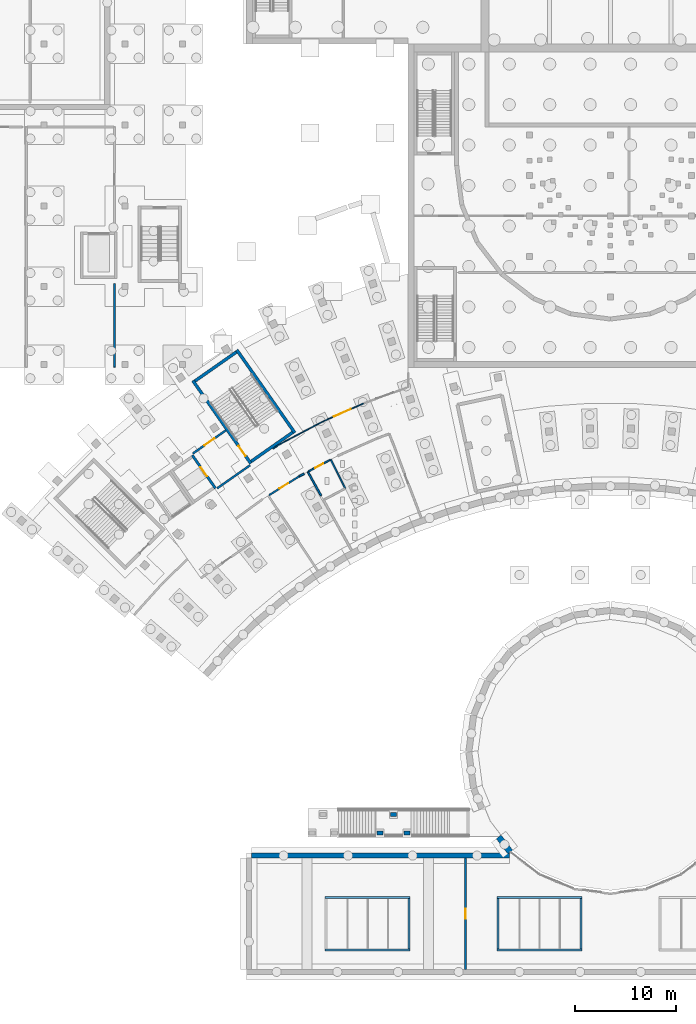
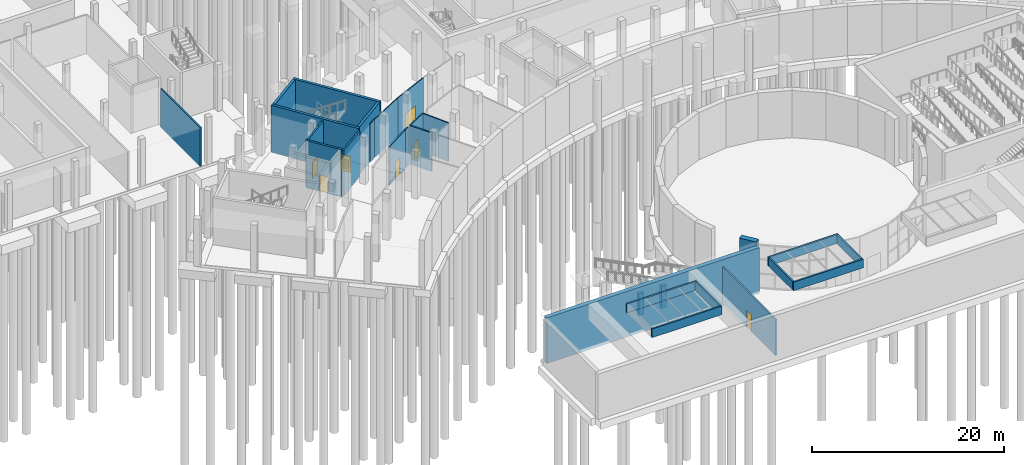
# One storey, part 20 of 66: 29 walls, 7 doors, 7 openings.
"""IFC4 building model written with IfcOpenShell, lengths in metres."""

from ifc_helpers import new_model, si_unit, direction, frame, frame_2d, origin, place, context, subcontext, project, spatial, rectangle, extrude, material, layer, layer_set, type_object, element, fill, save


model = new_model("IFC4")

# Units and contexts
model_context = context("Model", 3, precision=1e-05, world=origin(), true_north=direction((0.0, 1.0)))
body_context = subcontext(model_context, "Body", "Model", "MODEL_VIEW")
ifc_project = project(units=[si_unit("LENGTHUNIT", "METRE"), si_unit("AREAUNIT", "SQUARE_METRE"), si_unit("VOLUMEUNIT", "CUBIC_METRE"), si_unit("PLANEANGLEUNIT", "RADIAN"), si_unit("MASSUNIT", "GRAM", prefix="KILO")], contexts=[model_context])

# Site, building, storey
site_placement = place(None, origin())
site = spatial("IfcSite", under=ifc_project, at=site_placement, CompositionType="ELEMENT")
building_placement = place(site_placement, origin())
building = spatial("IfcBuilding", under=site, at=building_placement, Name="Lunette Opera House", CompositionType="ELEMENT")
storey_placement = place(building_placement, frame((0.0, 0.0, -6.0)))
storey = spatial("IfcBuildingStorey", under=building, at=storey_placement, Name="B1", CompositionType="ELEMENT", Elevation=-6.0)

# Wall, opening, door
ifc_material_1 = material(Name="Plastered clay blockwork", Category="masonry")
ifc_layer_1 = layer(ifc_material_1, 0.175048828125)
ifc_layer_set_1 = layer_set([ifc_layer_1], Name="Plastered clay blockwork")
wall_type_1 = type_object("IfcWallType", Name="ACOUSTIC BLOCK PARTITION 175", PredefinedType="PARTITIONING", material=ifc_layer_set_1)
wall_1_placement = place(storey_placement, frame((81.6669921875, 4.5, 0.0), z_axis=(0.0, 0.0, 1.0), x_axis=(0.0, 1.0, 0.0)))
wall_1 = element("IfcWall", 1, at=wall_1_placement, inside=storey, type_object=wall_type_1, Name="Partition Visitor Cycle Store", PredefinedType="PARTITIONING", context=body_context, shape_type="SweptSolid", body=[
    extrude(rectangle(XDim=10.9990234375, YDim=0.175048828125, at=frame_2d((5.49951171875, 0.0))), origin(), (0.0, 0.0, 1.0), 4.60009765625),
])
opening_1_placement = place(wall_1_placement, frame((5.0, 0.0, 0.0)))
opening_1 = element("IfcOpeningElement", 2, at=opening_1_placement, cuts=wall_1, Name="Opening FC-D3011", PredefinedType="OPENING", context=body_context, shape_type="SweptSolid", body=[
    extrude(rectangle(XDim=1.0, YDim=2.10009765625, at=frame_2d((0.5, 1.050048828125))), frame((0.0, 0.099609375, 0.0), z_axis=(0.0, -1.0, 0.0), x_axis=(1.0, 0.0, 0.0)), (0.0, 0.0, 1.0), 0.198974609375),
])
ifc_material_2 = material(Name="Timber", Category="wood")
door_type_1 = type_object("IfcDoorType", Name="FLUSH DOOR 1000 X 2100", OperationType="SINGLE_SWING_LEFT", PredefinedType="DOOR", material=ifc_material_2)
door_1_placement = place(opening_1_placement, origin())
door_1 = element("IfcDoor", 3, at=door_1_placement, inside=storey, type_object=door_type_1, Name="Visitor Cycle Store door", OperationType="SINGLE_SWING_RIGHT", OverallHeight=2.10009765625, OverallWidth=1.0, PredefinedType="DOOR", context=body_context, shape_type="SweptSolid", body=[
    extrude(rectangle(XDim=1.0, YDim=2.10009765625, at=frame_2d((0.5, 1.050048828125))), frame((0.0, 0.02490234375, 0.0), z_axis=(0.0, -1.0, 0.0), x_axis=(1.0, 0.0, 0.0)), (0.0, 0.0, 1.0), 0.050048828125),
])
fill(opening_1, door_1)

# Wall
wall_2_placement = place(storey_placement, frame((46.97412109375, 64.050048828125, 0.0), z_axis=(0.0, 0.0, 1.0), x_axis=(0.0, 1.0, 0.0)))
element("IfcWall", 4, at=wall_2_placement, inside=storey, type_object=wall_type_1, Name="Partition Generator Room", PredefinedType="PARTITIONING", context=body_context, shape_type="SweptSolid", body=[
    extrude(rectangle(XDim=8.25, YDim=0.175048828125, at=frame_2d((4.125, 0.0))), origin(), (0.0, 0.0, 1.0), 4.949951171875),
])

# Wall, opening, door
wall_3_placement = place(storey_placement, frame((65.25, 53.260986328125, 0.0), z_axis=(0.0, 0.0, 1.0), x_axis=(-0.847998304005, -0.529998940003, 0.0)))
wall_3 = element("IfcWall", 5, at=wall_3_placement, inside=storey, type_object=wall_type_1, Name="Partition Refuse Store", PredefinedType="PARTITIONING", context=body_context, shape_type="SweptSolid", body=[
    extrude(rectangle(XDim=3.537841796875, YDim=0.175048828125, at=frame_2d((1.76904296875, 0.0))), origin(), (0.0, 0.0, 1.0), 4.8798828125),
])
opening_2_placement = place(wall_3_placement, frame((1.31298828125, 0.0, 0.0)))
opening_2 = element("IfcOpeningElement", 6, at=opening_2_placement, cuts=wall_3, Name="Opening FC-D3009", PredefinedType="OPENING", context=body_context, shape_type="SweptSolid", body=[
    extrude(rectangle(XDim=1.0, YDim=2.10009765625, at=frame_2d((0.5, 1.050048828125))), frame((0.0, 0.099609375, 0.0), z_axis=(0.0, -1.0, 0.0), x_axis=(1.0, 0.0, 0.0)), (0.0, 0.0, 1.0), 0.198974609375),
])
door_2_placement = place(opening_2_placement, origin())
door_2 = element("IfcDoor", 7, at=door_2_placement, inside=storey, type_object=door_type_1, Name="Refuse Store door", OperationType="SINGLE_SWING_RIGHT", OverallHeight=2.10009765625, OverallWidth=1.0, PredefinedType="DOOR", context=body_context, shape_type="SweptSolid", body=[
    extrude(rectangle(XDim=1.0, YDim=2.10009765625, at=frame_2d((0.5, 1.050048828125))), frame((0.0, 0.02490234375, 0.0), z_axis=(0.0, -1.0, 0.0), x_axis=(1.0, 0.0, 0.0)), (0.0, 0.0, 1.0), 0.050048828125),
])
fill(opening_2, door_2)

# Walls
wall_4_placement = place(storey_placement, frame((67.39306640625, 51.343994140625, 0.0), z_axis=(0.0, 0.0, 1.0), x_axis=(-0.486932941699, 0.873439356961, 0.0)))
element("IfcWall", 8, at=wall_4_placement, inside=storey, type_object=wall_type_1, Name="Partition Refuse Store", PredefinedType="PARTITIONING", context=body_context, shape_type="SweptSolid", body=[
    extrude(rectangle(XDim=2.698486328125, YDim=0.175048828125, at=frame_2d((1.34912109375, 0.0))), origin(), (0.0, 0.0, 1.0), 4.8798828125),
])
wall_5_placement = place(storey_placement, frame((65.715087890625, 53.508056640625, 0.0), z_axis=(0.0, 0.0, 1.0), x_axis=(-0.883121721576, -0.469143927682, 0.0)))
element("IfcWall", 9, at=wall_5_placement, inside=storey, type_object=wall_type_1, Name="Partition Refuse Store", PredefinedType="PARTITIONING", context=body_context, shape_type="SweptSolid", body=[
    extrude(rectangle(XDim=0.526611328125, YDim=0.175048828125, at=frame_2d((0.26318359375, 0.0))), origin(), (0.0, 0.0, 1.0), 4.8798828125),
])
ifc_material_3 = material(Name="Plastered clay blockwork", Category="masonry")
ifc_layer_2 = layer(ifc_material_3, 0.14990234375)
ifc_layer_set_2 = layer_set([ifc_layer_2], Name="Plastered clay blockwork")
wall_type_2 = type_object("IfcWallType", Name="BLOCK PARTITION 150", PredefinedType="PARTITIONING", material=ifc_layer_set_2)
wall_6_placement = place(storey_placement, frame((69.784912109375, 52.050048828125, 0.0), z_axis=(0.0, 0.0, 1.0), x_axis=(-0.44959355841, 0.893233246267, 0.0)))
element("IfcWall", 10, at=wall_6_placement, inside=storey, type_object=wall_type_2, Name="Partition Accessible WC Lower", PredefinedType="PARTITIONING", context=body_context, shape_type="SweptSolid", body=[
    extrude(rectangle(XDim=3.198486328125, YDim=0.14990234375, at=frame_2d((1.59912109375, 0.0))), origin(), (0.0, 0.0, 1.0), 4.8798828125),
])

# Wall, opening, door
wall_7_placement = place(storey_placement, frame((68.280029296875, 54.8720703125, 0.0), z_axis=(0.0, 0.0, 1.0), x_axis=(-0.882984277994, -0.469402561577, 0.0)))
wall_7 = element("IfcWall", 11, at=wall_7_placement, inside=storey, type_object=wall_type_2, Name="Partition Accessible WC Lower", PredefinedType="PARTITIONING", context=body_context, shape_type="SweptSolid", body=[
    extrude(rectangle(XDim=2.405517578125, YDim=0.14990234375, at=frame_2d((1.20263671875, 0.0))), origin(), (0.0, 0.0, 1.0), 4.8798828125),
])
opening_3_placement = place(wall_7_placement, frame((0.759033203125, 0.0, 0.0)))
opening_3 = element("IfcOpeningElement", 12, at=opening_3_placement, cuts=wall_7, Name="Opening FC-D3008", PredefinedType="OPENING", context=body_context, shape_type="SweptSolid", body=[
    extrude(rectangle(XDim=0.89990234375, YDim=2.10009765625, at=frame_2d((0.449951171875, 1.050048828125))), frame((0.0, 0.0869140625, 0.0), z_axis=(0.0, -1.0, 0.0), x_axis=(1.0, 0.0, 0.0)), (0.0, 0.0, 1.0), 0.173828125),
])
ifc_material_4 = material(Name="Timber", Category="wood")
door_type_2 = type_object("IfcDoorType", Name="FLUSH DOOR 900 X 2100", OperationType="SINGLE_SWING_LEFT", PredefinedType="DOOR", material=ifc_material_4)
door_3_placement = place(opening_3_placement, origin())
door_3 = element("IfcDoor", 13, at=door_3_placement, inside=storey, type_object=door_type_2, Name="Accessible WC Lower door", OperationType="SINGLE_SWING_RIGHT", OverallHeight=2.10009765625, OverallWidth=0.89990234375, PredefinedType="DOOR", context=body_context, shape_type="SweptSolid", body=[
    extrude(rectangle(XDim=0.89990234375, YDim=2.10009765625, at=frame_2d((0.449951171875, 1.050048828125))), frame((0.0, 0.02490234375, 0.0), z_axis=(0.0, -1.0, 0.0), x_axis=(1.0, 0.0, 0.0)), (0.0, 0.0, 1.0), 0.050048828125),
])
fill(opening_3, door_3)

ifc_material_5 = material(Name="Concrete C35/45", Category="concrete")
ifc_layer_3 = layer(ifc_material_5, 0.199951171875)
ifc_layer_set_3 = layer_set([ifc_layer_3], Name="Concrete C35/45")
wall_type_3 = type_object("IfcWallType", Name="LOBBY WALL 200", PredefinedType="PARTITIONING", material=ifc_layer_set_3)
wall_8_placement = place(storey_placement, frame((57.98388671875, 57.797119140625, 0.0), z_axis=(0.0, 0.0, 1.0), x_axis=(-0.819125561737, -0.573614255497, 0.0)))
wall_8 = element("IfcWall", 14, at=wall_8_placement, inside=storey, type_object=wall_type_3, Name="FL2 lobby wall 2a", PredefinedType="PARTITIONING", context=body_context, shape_type="SweptSolid", body=[
    extrude(rectangle(XDim=3.990478515625, YDim=0.199951171875, at=frame_2d((1.9951171875, 0.0))), origin(), (0.0, 0.0, 1.0), 5.780029296875),
])
opening_4_placement = place(wall_8_placement, frame((1.3798828125, 0.0, 0.0)))
opening_4 = element("IfcOpeningElement", 15, at=opening_4_placement, cuts=wall_8, Name="Opening FC-D7031", PredefinedType="OPENING", context=body_context, shape_type="SweptSolid", body=[
    extrude(rectangle(XDim=1.199951171875, YDim=2.10009765625, at=frame_2d((0.60009765625, 1.050048828125))), frame((0.0, 0.112060546875, 0.0), z_axis=(0.0, -1.0, 0.0), x_axis=(1.0, 0.0, 0.0)), (0.0, 0.0, 1.0), 0.223876953125),
])
ifc_material_6 = material(Name="Steel", Category="steel")
door_type_3 = type_object("IfcDoorType", Name="FIRE DOOR 1200 X 2100", OperationType="SINGLE_SWING_LEFT", PredefinedType="DOOR", material=ifc_material_6)
door_4_placement = place(opening_4_placement, origin())
door_4 = element("IfcDoor", 16, at=door_4_placement, inside=storey, type_object=door_type_3, Name="FL2 lobby door", OperationType="SINGLE_SWING_LEFT", OverallHeight=2.10009765625, OverallWidth=1.199951171875, PredefinedType="DOOR", context=body_context, shape_type="SweptSolid", body=[
    extrude(rectangle(XDim=1.199951171875, YDim=2.10009765625, at=frame_2d((0.60009765625, 1.050048828125))), frame((0.0, 0.02490234375, 0.0), z_axis=(0.0, -1.0, 0.0), x_axis=(1.0, 0.0, 0.0)), (0.0, 0.0, 1.0), 0.050048828125),
])
fill(opening_4, door_4)

# Walls
wall_9_placement = place(storey_placement, frame((57.125, 52.069091796875, 0.0), z_axis=(0.0, 0.0, 1.0), x_axis=(0.81911891796, 0.573623742744, 0.0)))
element("IfcWall", 17, at=wall_9_placement, inside=storey, type_object=wall_type_3, Name="FL2 lobby wall 4a", PredefinedType="PARTITIONING", context=body_context, shape_type="SweptSolid", body=[
    extrude(rectangle(XDim=3.958984375, YDim=0.199951171875, at=frame_2d((1.9794921875, 0.0))), origin(), (0.0, 0.0, 1.0), 5.780029296875),
])
ifc_material_7 = material(Name="Concrete C35/45", Category="concrete")
ifc_layer_4 = layer(ifc_material_7, 0.39990234375)
ifc_layer_set_4 = layer_set([ifc_layer_4], Name="Concrete C35/45")
wall_type_4 = type_object("IfcWallType", Name="RAMP PIER WALL 400", PredefinedType="SOLIDWALL", material=ifc_layer_set_4)
wall_10_placement = place(storey_placement, frame((72.89990234375, 18.0, 0.0), z_axis=(0.0, 0.0, 1.0), x_axis=(1.0, 0.0, 0.0)))
element("IfcWall", 18, at=wall_10_placement, inside=storey, type_object=wall_type_4, Name="Bearing pier FS1-L1-P1", PredefinedType="SOLIDWALL", context=body_context, shape_type="SweptSolid", body=[
    extrude(rectangle(XDim=0.60009765625, YDim=0.39990234375, at=frame_2d((0.300048828125, 0.0))), origin(), (0.0, 0.0, 1.0), 2.800048828125),
])
wall_11_placement = place(storey_placement, frame((75.60009765625, 18.0, 0.0), z_axis=(0.0, 0.0, 1.0), x_axis=(1.0, 0.0, 0.0)))
element("IfcWall", 19, at=wall_11_placement, inside=storey, type_object=wall_type_4, Name="Bearing pier FS1-L1-P2", PredefinedType="SOLIDWALL", context=body_context, shape_type="SweptSolid", body=[
    extrude(rectangle(XDim=0.599853515625, YDim=0.39990234375, at=frame_2d((0.2998046875, 0.0))), origin(), (0.0, 0.0, 1.0), 2.800048828125),
])
wall_12_placement = place(storey_placement, frame((74.25, 19.800048828125, 0.0), z_axis=(0.0, 0.0, 1.0), x_axis=(1.0, 0.0, 0.0)))
element("IfcWall", 20, at=wall_12_placement, inside=storey, type_object=wall_type_4, Name="Bearing pier FS1-L1-P3", PredefinedType="SOLIDWALL", context=body_context, shape_type="SweptSolid", body=[
    extrude(rectangle(XDim=0.60009765625, YDim=0.39990234375, at=frame_2d((0.300048828125, 0.0))), origin(), (0.0, 0.0, 1.0), 2.800048828125),
])

# Wall, opening, door
ifc_material_8 = material(Name="Concrete C35/45", Category="concrete")
ifc_layer_5 = layer(ifc_material_8, 0.25)
ifc_layer_set_5 = layer_set([ifc_layer_5], Name="Concrete C35/45")
wall_type_5 = type_object("IfcWallType", Name="RC LIFT SHAFT WALL 250", PredefinedType="SOLIDWALL", material=ifc_layer_set_5)
wall_13_placement = place(storey_placement, frame((56.948974609375, 52.06689453125, 0.0), z_axis=(0.0, 0.0, 1.0), x_axis=(-0.573736768582, 0.819039755065, 0.0)))
wall_13 = element("IfcWall", 21, at=wall_13_placement, inside=storey, type_object=wall_type_5, Name="FL2 shaft wall 1", PredefinedType="SOLIDWALL", context=body_context, shape_type="SweptSolid", body=[
    extrude(rectangle(XDim=4.0, YDim=0.25, at=frame_2d((2.0, 0.0))), origin(), (0.0, 0.0, 1.0), 6.0),
])
opening_5_placement = place(wall_13_placement, frame((1.449951171875, 0.0, 0.0)))
opening_5 = element("IfcOpeningElement", 22, at=opening_5_placement, cuts=wall_13, Name="Opening FC-LD007", PredefinedType="OPENING", context=body_context, shape_type="SweptSolid", body=[
    extrude(rectangle(XDim=1.10009765625, YDim=2.10009765625, at=frame_2d((0.550048828125, 1.050048828125))), frame((0.0, 0.136962890625, 0.0), z_axis=(0.0, -1.0, 0.0), x_axis=(1.0, 0.0, 0.0)), (0.0, 0.0, 1.0), 0.27392578125),
])
ifc_material_9 = material(Name="Stainless steel", Category="steel")
door_type_4 = type_object("IfcDoorType", Name="LIFT LANDING DOOR 1100 X 2100", OperationType="DOUBLE_DOOR_SLIDING", PredefinedType="DOOR", material=ifc_material_9)
door_5_placement = place(opening_5_placement, origin())
door_5 = element("IfcDoor", 23, at=door_5_placement, inside=storey, type_object=door_type_4, Name="FL2 lift landing door", OperationType="DOUBLE_DOOR_SLIDING", OverallHeight=2.10009765625, OverallWidth=1.10009765625, PredefinedType="DOOR", context=body_context, shape_type="SweptSolid", body=[
    extrude(rectangle(XDim=1.10009765625, YDim=2.10009765625, at=frame_2d((0.550048828125, 1.050048828125))), frame((0.0, 0.02490234375, 0.0), z_axis=(0.0, -1.0, 0.0), x_axis=(1.0, 0.0, 0.0)), (0.0, 0.0, 1.0), 0.050048828125),
])
fill(opening_5, door_5)

# Walls
ifc_material_10 = material(Name="Concrete C35/45", Category="concrete")
ifc_layer_6 = layer(ifc_material_10, 0.300048828125)
ifc_layer_set_6 = layer_set([ifc_layer_6], Name="Concrete C35/45")
wall_type_6 = type_object("IfcWallType", Name="RC STAIR ENCLOSURE WALL 300", PredefinedType="SOLIDWALL", material=ifc_layer_set_6)
wall_14_placement = place(storey_placement, frame((64.791015625, 57.55908203125, 0.0), z_axis=(0.0, 0.0, 1.0), x_axis=(-0.573514776444, 0.819195215563, 0.0)))
element("IfcWall", 24, at=wall_14_placement, inside=storey, type_object=wall_type_6, Name="ST2 enclosure wall 1", PredefinedType="SOLIDWALL", context=body_context, shape_type="SweptSolid", body=[
    extrude(rectangle(XDim=10.0, YDim=0.300048828125, at=frame_2d((5.0, 0.0))), origin(), (0.0, 0.0, 1.0), 6.0),
])
wall_15_placement = place(storey_placement, frame((59.01904296875, 65.5419921875, 0.0), z_axis=(0.0, 0.0, 1.0), x_axis=(-0.819160804606, -0.573563925118, 0.0)))
element("IfcWall", 25, at=wall_15_placement, inside=storey, type_object=wall_type_6, Name="ST2 enclosure wall 2", PredefinedType="SOLIDWALL", context=body_context, shape_type="SweptSolid", body=[
    extrude(rectangle(XDim=5.000244140625, YDim=0.300048828125, at=frame_2d((2.5, 0.0))), origin(), (0.0, 0.0, 1.0), 6.0),
])

# Wall, opening, door
wall_16_placement = place(storey_placement, frame((54.714111328125, 62.7109375, 0.0), z_axis=(0.0, 0.0, 1.0), x_axis=(0.573563925118, -0.819160804606, 0.0)))
wall_16 = element("IfcWall", 26, at=wall_16_placement, inside=storey, type_object=wall_type_6, Name="ST2 enclosure wall 3", PredefinedType="SOLIDWALL", context=body_context, shape_type="SweptSolid", body=[
    extrude(rectangle(XDim=10.000244140625, YDim=0.300048828125, at=frame_2d((5.0, 0.0))), origin(), (0.0, 0.0, 1.0), 6.0),
])
opening_6_placement = place(wall_16_placement, frame((7.89990234375, 0.0, 0.0)))
opening_6 = element("IfcOpeningElement", 27, at=opening_6_placement, cuts=wall_16, Name="Opening FC-D7013", PredefinedType="OPENING", context=body_context, shape_type="SweptSolid", body=[
    extrude(rectangle(XDim=1.199951171875, YDim=2.10009765625, at=frame_2d((0.60009765625, 1.050048828125))), frame((0.0, 0.162109375, 0.0), z_axis=(0.0, -1.0, 0.0), x_axis=(1.0, 0.0, 0.0)), (0.0, 0.0, 1.0), 0.323974609375),
])
door_6_placement = place(opening_6_placement, origin())
door_6 = element("IfcDoor", 28, at=door_6_placement, inside=storey, type_object=door_type_3, Name="ST2 stair door", OperationType="SINGLE_SWING_LEFT", OverallHeight=2.10009765625, OverallWidth=1.199951171875, PredefinedType="DOOR", context=body_context, shape_type="SweptSolid", body=[
    extrude(rectangle(XDim=1.199951171875, YDim=2.10009765625, at=frame_2d((0.60009765625, 1.050048828125))), frame((0.0, 0.02490234375, 0.0), z_axis=(0.0, -1.0, 0.0), x_axis=(1.0, 0.0, 0.0)), (0.0, 0.0, 1.0), 0.050048828125),
])
fill(opening_6, door_6)

# Walls
wall_17_placement = place(storey_placement, frame((60.487060546875, 54.72802734375, 0.0), z_axis=(0.0, 0.0, 1.0), x_axis=(0.819096538389, 0.573655698829, 0.0)))
element("IfcWall", 29, at=wall_17_placement, inside=storey, type_object=wall_type_6, Name="ST2 enclosure wall 4", PredefinedType="SOLIDWALL", context=body_context, shape_type="SweptSolid", body=[
    extrude(rectangle(XDim=4.999267578125, YDim=0.300048828125, at=frame_2d((2.49951171875, 0.0))), origin(), (0.0, 0.0, 1.0), 6.0),
])
ifc_material_11 = material(Name="Concrete C35/45", Category="concrete")
ifc_layer_7 = layer(ifc_material_11, 0.5)
ifc_layer_set_7 = layer_set([ifc_layer_7], Name="Concrete C35/45")
wall_type_7 = type_object("IfcWallType", Name="RC WALL 500", PredefinedType="SHEAR", material=ifc_layer_set_7)
wall_18_placement = place(storey_placement, frame((60.5, 15.75, -0.300048828125), z_axis=(0.0, 0.0, 1.0), x_axis=(1.0, 0.0, 0.0)))
element("IfcWall", 30, at=wall_18_placement, inside=storey, type_object=wall_type_7, Name="wall-SF-B1-CNNW-1", PredefinedType="SHEAR", context=body_context, shape_type="SweptSolid", body=[
    extrude(rectangle(XDim=25.5, YDim=0.5, at=frame_2d((12.75, 0.0))), origin(), (0.0, 0.0, 1.0), 5.800048828125),
])
ifc_material_12 = material(Name="Concrete C40/50", Category="concrete")
ifc_layer_8 = layer(ifc_material_12, 0.60009765625)
ifc_layer_set_8 = layer_set([ifc_layer_8], Name="Concrete C40/50")
wall_type_8 = type_object("IfcWallType", Name="RETAINING WALL 600", PredefinedType="SOLIDWALL", material=ifc_layer_set_8)
wall_19_placement = place(storey_placement, frame((86.10107421875, 16.10107421875, -0.300048828125), z_axis=(0.0, 0.0, 1.0), x_axis=(-0.608729896814, 0.793377534799, 0.0)))
element("IfcWall", 31, at=wall_19_placement, inside=storey, type_object=wall_type_8, Name="wall-SF-B1-CW16", PredefinedType="SOLIDWALL", context=body_context, shape_type="SweptSolid", body=[
    extrude(rectangle(XDim=1.889404296875, YDim=0.60009765625, at=frame_2d((0.94482421875, 0.0))), origin(), (0.0, 0.0, 1.0), 6.300048828125),
])
ifc_material_13 = material(Name="Concrete C35/45", Category="concrete")
ifc_layer_9 = layer(ifc_material_13, 0.199951171875)
ifc_layer_set_9 = layer_set([ifc_layer_9], Name="Concrete C35/45")
wall_type_9 = type_object("IfcWallType", Name="ROOFLIGHT UPSTAND 200", PredefinedType="SOLIDWALL", material=ifc_layer_set_9)
for number, where, z_axis, x_axis, name in (
    (32, (67.800048828125, 6.39990234375, 6.0), (0.0, 0.0, 1.0), (1.0, 0.0, 0.0), "Rooflight Upstand 200 RL1S B1"),
    (33, (67.800048828125, 11.60009765625, 6.0), (0.0, 0.0, 1.0), (1.0, 0.0, 0.0), "Rooflight Upstand 200 RL1N B1"),
):
    element("IfcWall", number, at=place(storey_placement, frame(where, z_axis=z_axis, x_axis=x_axis)), inside=storey, type_object=wall_type_9, Name=name, PredefinedType="SOLIDWALL", context=body_context, shape_type="SweptSolid", body=[
        extrude(rectangle(XDim=8.39990234375, YDim=0.199951171875, at=frame_2d((4.199951171875, 0.0))), origin(), (0.0, 0.0, 1.0), 1.10009765625),
    ])
wall_20_placement = place(storey_placement, frame((76.10009765625, 6.5, 6.0), z_axis=(0.0, 0.0, 1.0), x_axis=(0.0, 1.0, 0.0)))
element("IfcWall", 34, at=wall_20_placement, inside=storey, type_object=wall_type_9, Name="Rooflight Upstand 200 RL1E B1", PredefinedType="SOLIDWALL", context=body_context, shape_type="SweptSolid", body=[
    extrude(rectangle(XDim=5.0, YDim=0.199951171875, at=frame_2d((2.5, 0.0))), origin(), (0.0, 0.0, 1.0), 1.10009765625),
])
for number, where, z_axis, x_axis, name in (
    (35, (84.800048828125, 6.39990234375, 6.0), (0.0, 0.0, 1.0), (1.0, 0.0, 0.0), "Rooflight Upstand 200 RL2S B1"),
    (36, (84.800048828125, 11.60009765625, 6.0), (0.0, 0.0, 1.0), (1.0, 0.0, 0.0), "Rooflight Upstand 200 RL2N B1"),
):
    element("IfcWall", number, at=place(storey_placement, frame(where, z_axis=z_axis, x_axis=x_axis)), inside=storey, type_object=wall_type_9, Name=name, PredefinedType="SOLIDWALL", context=body_context, shape_type="SweptSolid", body=[
        extrude(rectangle(XDim=8.39990234375, YDim=0.199951171875, at=frame_2d((4.199951171875, 0.0))), origin(), (0.0, 0.0, 1.0), 1.10009765625),
    ])
for number, where, z_axis, x_axis, name in (
    (37, (84.89990234375, 6.5, 6.0), (0.0, 0.0, 1.0), (0.0, 1.0, 0.0), "Rooflight Upstand 200 RL2W B1"),
    (38, (93.10009765625, 6.5, 6.0), (0.0, 0.0, 1.0), (0.0, 1.0, 0.0), "Rooflight Upstand 200 RL2E B1"),
):
    element("IfcWall", number, at=place(storey_placement, frame(where, z_axis=z_axis, x_axis=x_axis)), inside=storey, type_object=wall_type_9, Name=name, PredefinedType="SOLIDWALL", context=body_context, shape_type="SweptSolid", body=[
        extrude(rectangle(XDim=5.0, YDim=0.199951171875, at=frame_2d((2.5, 0.0))), origin(), (0.0, 0.0, 1.0), 1.10009765625),
    ])

# Wall, opening, door
ifc_material_14 = material(Name="Gypsum board on steel studs", Category="steel")
ifc_layer_10 = layer(ifc_material_14, 0.10009765625)
ifc_layer_set_10 = layer_set([ifc_layer_10], Name="Gypsum board on steel studs")
wall_type_10 = type_object("IfcWallType", Name="STUD PARTITION 100", PredefinedType="PARTITIONING", material=ifc_layer_set_10)
wall_21_placement = place(storey_placement, frame((71.575927734375, 60.451904296875, 0.0), z_axis=(0.0, 0.0, 1.0), x_axis=(-0.91357913429, -0.406660995658, 0.0)))
wall_21 = element("IfcWall", 39, at=wall_21_placement, inside=storey, type_object=wall_type_10, Name="Partition Lower Foyer", PredefinedType="PARTITIONING", context=body_context, shape_type="SweptSolid", body=[
    extrude(rectangle(XDim=4.55126953125, YDim=0.10009765625, at=frame_2d((2.275634765625, 0.0))), origin(), (0.0, 0.0, 1.0), 4.8798828125),
])
opening_7_placement = place(wall_21_placement, frame((1.3759765625, 0.0, 0.0)))
opening_7 = element("IfcOpeningElement", 40, at=opening_7_placement, cuts=wall_21, Name="Opening FC-D3005", PredefinedType="OPENING", context=body_context, shape_type="SweptSolid", body=[
    extrude(rectangle(XDim=1.800048828125, YDim=2.10009765625, at=frame_2d((0.89990234375, 1.050048828125))), frame((0.0, 0.06201171875, 0.0), z_axis=(0.0, -1.0, 0.0), x_axis=(1.0, 0.0, 0.0)), (0.0, 0.0, 1.0), 0.1240234375),
])
ifc_material_15 = material(Name="Timber", Category="wood")
door_type_5 = type_object("IfcDoorType", Name="DOUBLE FLUSH DOOR 1800 X 2100", OperationType="DOUBLE_DOOR_SINGLE_SWING", PredefinedType="DOOR", material=ifc_material_15)
door_7_placement = place(opening_7_placement, origin())
door_7 = element("IfcDoor", 41, at=door_7_placement, inside=storey, type_object=door_type_5, Name="Community Room door", OperationType="DOUBLE_DOOR_SINGLE_SWING", OverallHeight=2.10009765625, OverallWidth=1.800048828125, PredefinedType="DOOR", context=body_context, shape_type="SweptSolid", body=[
    extrude(rectangle(XDim=1.800048828125, YDim=2.10009765625, at=frame_2d((0.89990234375, 1.050048828125))), frame((0.0, 0.02490234375, 0.0), z_axis=(0.0, -1.0, 0.0), x_axis=(1.0, 0.0, 0.0)), (0.0, 0.0, 1.0), 0.050048828125),
])
fill(opening_7, door_7)

# Walls
wall_22_placement = place(storey_placement, frame((67.41796875, 58.60107421875, 0.0), z_axis=(0.0, 0.0, 1.0), x_axis=(-0.882989262106, -0.469393185938, 0.0)))
element("IfcWall", 42, at=wall_22_placement, inside=storey, type_object=wall_type_10, Name="Partition Lower Foyer", PredefinedType="PARTITIONING", context=body_context, shape_type="SweptSolid", body=[
    extrude(rectangle(XDim=4.550537109375, YDim=0.10009765625, at=frame_2d((2.275390625, 0.0))), origin(), (0.0, 0.0, 1.0), 4.8798828125),
])
wall_23_placement = place(storey_placement, frame((63.39990234375, 56.465087890625, 0.0), z_axis=(0.0, 0.0, 1.0), x_axis=(-0.848042980139, -0.529927451484, 0.0)))
element("IfcWall", 43, at=wall_23_placement, inside=storey, type_object=wall_type_10, Name="Partition Lower Foyer", PredefinedType="PARTITIONING", context=body_context, shape_type="SweptSolid", body=[
    extrude(rectangle(XDim=0.9208984375, YDim=0.10009765625, at=frame_2d((0.46044921875, 0.0))), origin(), (0.0, 0.0, 1.0), 4.8798828125),
])

save(model, "model.ifc")
